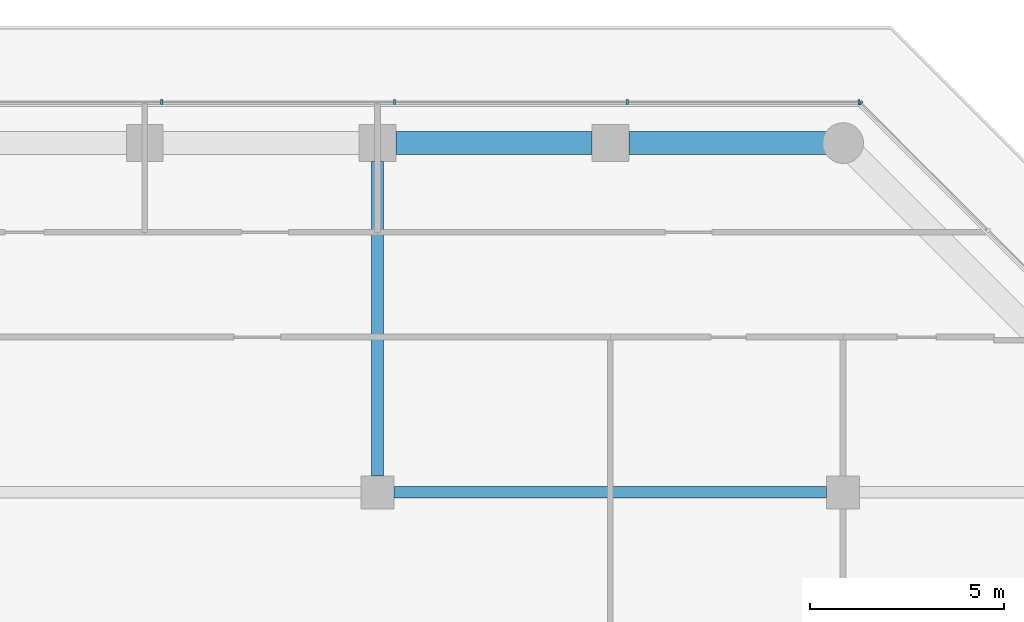
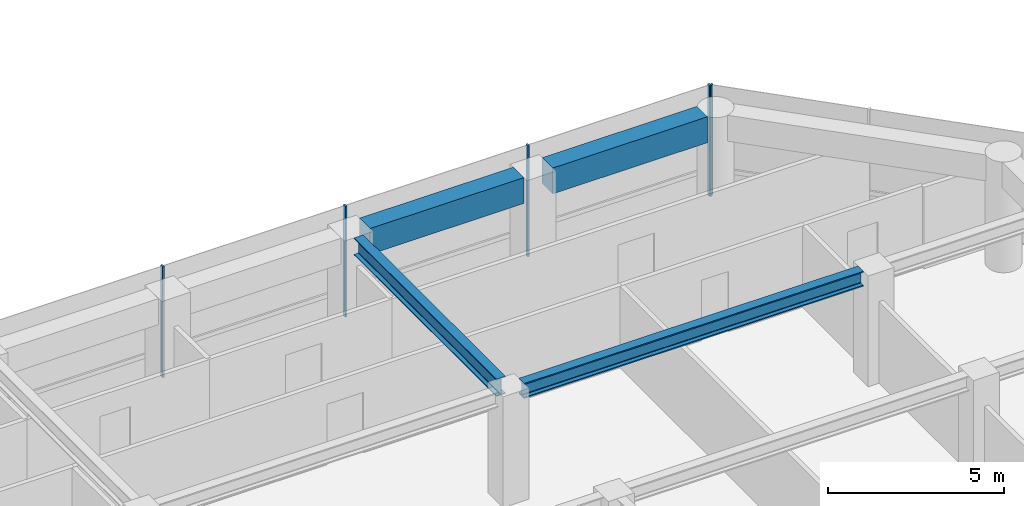
# One storey, part 11 of 29: 5 members, 4 beams, 2 elements without a shape of their own.
"""IFC4 building model written with IfcOpenShell, lengths in metres."""

from ifc_helpers import new_model, si_unit, direction, frame, origin, origin_2d, place, context, subcontext, project, spatial, rectangle, i_section, extrude, material, layer, layer_set, material_profile, profile_set, type_object, element, aggregate, save


model = new_model("IFC4")

# Units and contexts
model_context = context("Model", 3, precision=1e-05, world=origin(), true_north=direction((0.0, 1.0)))
body_context = subcontext(model_context, "Body", "Model", "MODEL_VIEW")
ifc_project = project(units=[si_unit("LENGTHUNIT", "METRE"), si_unit("AREAUNIT", "SQUARE_METRE"), si_unit("VOLUMEUNIT", "CUBIC_METRE"), si_unit("PLANEANGLEUNIT", "RADIAN"), si_unit("MASSUNIT", "GRAM", prefix="KILO")], contexts=[model_context])

# Site, building, storey
site_placement = place(None, origin())
site = spatial("IfcSite", under=ifc_project, at=site_placement, CompositionType="ELEMENT")
building_placement = place(site_placement, origin())
building = spatial("IfcBuilding", under=site, at=building_placement, Name="Welwitschia Terrace Campus", CompositionType="ELEMENT")
storey_placement = place(building_placement, frame((0.0, 0.0, 50.0)))
storey = spatial("IfcBuildingStorey", under=building, at=storey_placement, Name="L11", CompositionType="ELEMENT", Elevation=50.0)

# Beam
ifc_material_1 = material(Name="Steel S355", Category="steel")
ifc_material_profile_1 = material_profile(ifc_material_1, i_section(OverallWidth=0.305908203125, OverallDepth=0.52392578125, WebThickness=0.02099609375, FlangeThickness=0.0400390625, FilletRadius=0.027099609375, at=origin_2d()))
ifc_profile_set_1 = profile_set([ifc_material_profile_1], Name="Steel S355")
beam_type_1 = type_object("IfcBeamType", Name="Interior girder HE 500 M", PredefinedType="BEAM", material=ifc_profile_set_1)
beam_1_placement = place(storey_placement, frame((48.425537109375, 11.0, 3.587890625), z_axis=(1.0, 0.0, 0.0), x_axis=(0.0, 1.0, 0.0)))
element("IfcBeam", 1, at=beam_1_placement, inside=storey, type_object=beam_type_1, Name="Girder GB2", PredefinedType="BEAM", context=body_context, shape_type="SweptSolid", body=[
    extrude(i_section(OverallWidth=0.305908203125, OverallDepth=0.52392578125, WebThickness=0.02099609375, FlangeThickness=0.0400390625, FilletRadius=0.027099609375, at=origin_2d()), origin(), (0.0, 0.0, 1.0), 11.14892578125),
])

# Curtain wall, member
ifc_material_2 = material(Name="Bronze anodised aluminium", Category="aluminium")
ifc_layer = layer(ifc_material_2, 0.1201171875)
ifc_layer_set = layer_set([ifc_layer], Name="Bronze anodised aluminium")
curtain_wall_type = type_object("IfcCurtainWallType", Name="Curtain wall CW2 tower 6000", PredefinedType="NOTDEFINED", material=ifc_layer_set)
curtain_wall_1_placement = place(storey_placement, origin())
curtain_wall_1 = element("IfcCurtainWall", 2, at=curtain_wall_1_placement, inside=storey, type_object=curtain_wall_type, Name="CW L11.5.0", PredefinedType="NOTDEFINED")
ifc_material_3 = material(Name="Bronze anodised aluminium", Category="aluminium")
ifc_material_profile_2 = material_profile(ifc_material_3, rectangle(XDim=0.1201171875, YDim=0.06005859375, at=origin_2d()))
ifc_profile_set_2 = profile_set([ifc_material_profile_2], Name="Bronze anodised aluminium")
member_type = type_object("IfcMemberType", Name="Mullion 60x120", PredefinedType="MULLION", material=ifc_profile_set_2)
member_1_placement = place(storey_placement, frame((60.45947265625, 21.036865234375, 0.0), z_axis=(0.0, 0.0, 1.0), x_axis=(-0.707106781187, -0.707106781187, 0.0)))
member_1 = element("IfcMember", 3, at=member_1_placement, type_object=member_type, Name="Mullion L11.5.0.2", PredefinedType="MULLION", context=body_context, shape_type="SweptSolid", body=[
    extrude(rectangle(XDim=0.1201171875, YDim=0.06005859375, at=origin_2d()), origin(), (0.0, 0.0, 1.0), 3.85009765625),
])
aggregate(curtain_wall_1, [member_1])

# Curtain wall, members
curtain_wall_2_placement = place(storey_placement, origin())
curtain_wall_2 = element("IfcCurtainWall", 4, at=curtain_wall_2_placement, inside=storey, type_object=curtain_wall_type, Name="CW L11.6.0", PredefinedType="NOTDEFINED")
member_2_placement = place(storey_placement, frame((60.408203125, 21.05810546875, 0.0), z_axis=(0.0, 0.0, 1.0), x_axis=(0.0, -1.0, 0.0)))
member_2 = element("IfcMember", 5, at=member_2_placement, type_object=member_type, Name="Mullion L11.6.0.0", PredefinedType="MULLION", context=body_context, shape_type="SweptSolid", body=[
    extrude(rectangle(XDim=0.1201171875, YDim=0.06005859375, at=origin_2d()), origin(), (0.0, 0.0, 1.0), 3.85009765625),
])
member_3_placement = place(storey_placement, frame((54.438232421875, 21.05810546875, 0.0), z_axis=(0.0, 0.0, 1.0), x_axis=(0.0, -1.0, 0.0)))
member_3 = element("IfcMember", 6, at=member_3_placement, type_object=member_type, Name="Mullion L11.6.0.1", PredefinedType="MULLION", context=body_context, shape_type="SweptSolid", body=[
    extrude(rectangle(XDim=0.1201171875, YDim=0.06005859375, at=origin_2d()), origin(), (0.0, 0.0, 1.0), 3.85009765625),
])
member_4_placement = place(storey_placement, frame((48.438232421875, 21.05810546875, 0.0), z_axis=(0.0, 0.0, 1.0), x_axis=(0.0, -1.0, 0.0)))
member_4 = element("IfcMember", 7, at=member_4_placement, type_object=member_type, Name="Mullion L11.6.0.2", PredefinedType="MULLION", context=body_context, shape_type="SweptSolid", body=[
    extrude(rectangle(XDim=0.1201171875, YDim=0.06005859375, at=origin_2d()), origin(), (0.0, 0.0, 1.0), 3.85009765625),
])
member_5_placement = place(storey_placement, frame((42.438232421875, 21.05810546875, 0.0), z_axis=(0.0, 0.0, 1.0), x_axis=(0.0, -1.0, 0.0)))
member_5 = element("IfcMember", 8, at=member_5_placement, type_object=member_type, Name="Mullion L11.6.0.3", PredefinedType="MULLION", context=body_context, shape_type="SweptSolid", body=[
    extrude(rectangle(XDim=0.1201171875, YDim=0.06005859375, at=origin_2d()), origin(), (0.0, 0.0, 1.0), 3.85009765625),
])
aggregate(curtain_wall_2, [member_2, member_3, member_4, member_5])

# Beams
ifc_material_4 = material(Name="Steel S355", Category="steel")
ifc_material_profile_3 = material_profile(ifc_material_4, i_section(OverallWidth=0.300048828125, OverallDepth=0.60009765625, WebThickness=0.015380859375, FlangeThickness=0.030029296875, FilletRadius=0.027099609375, at=origin_2d()))
ifc_profile_set_3 = profile_set([ifc_material_profile_3], Name="Steel S355")
beam_type_2 = type_object("IfcBeamType", Name="Primary beam HE 600 B", PredefinedType="BEAM", material=ifc_profile_set_3)
beam_2_placement = place(storey_placement, frame((48.0, 19.5244140625, 3.550048828125), z_axis=(0.0, -1.0, 0.0), x_axis=(1.0, 0.0, 0.0)))
element("IfcBeam", 9, at=beam_2_placement, inside=storey, type_object=beam_type_2, Name="Primary beam PB2", PredefinedType="BEAM", context=body_context, shape_type="SweptSolid", body=[
    extrude(i_section(OverallWidth=0.300048828125, OverallDepth=0.60009765625, WebThickness=0.015380859375, FlangeThickness=0.030029296875, FilletRadius=0.027099609375, at=origin_2d()), origin(), (0.0, 0.0, 1.0), 8.098876953125),
])
ifc_material_5 = material(Name="Concrete C60/75", Category="concrete")
ifc_material_profile_4 = material_profile(ifc_material_5, rectangle(XDim=0.60009765625, YDim=0.89990234375, at=origin_2d()))
ifc_profile_set_4 = profile_set([ifc_material_profile_4], Name="Concrete C60/75")
beam_type_3 = type_object("IfcBeamType", Name="Ring spandrel 600x900", PredefinedType="SPANDREL", material=ifc_profile_set_4)
beam_3_placement = place(storey_placement, frame((59.568603515625, 20.0, 3.39990234375), z_axis=(-1.0, 0.0, 0.0), x_axis=(0.0, -1.0, 0.0)))
element("IfcBeam", 10, at=beam_3_placement, inside=storey, type_object=beam_type_3, Name="Spandrel SP2", PredefinedType="SPANDREL", context=body_context, shape_type="SweptSolid", body=[
    extrude(rectangle(XDim=0.60009765625, YDim=0.89990234375, at=origin_2d()), origin(), (0.0, 0.0, 1.0), 5.093017578125),
])
beam_4_placement = place(storey_placement, frame((53.5244140625, 20.0, 3.39990234375), z_axis=(-1.0, 0.0, 0.0), x_axis=(0.0, -1.0, 0.0)))
element("IfcBeam", 11, at=beam_4_placement, inside=storey, type_object=beam_type_3, Name="Spandrel SP2", PredefinedType="SPANDREL", context=body_context, shape_type="SweptSolid", body=[
    extrude(rectangle(XDim=0.60009765625, YDim=0.89990234375, at=origin_2d()), origin(), (0.0, 0.0, 1.0), 5.048828125),
])

save(model, "model.ifc")
